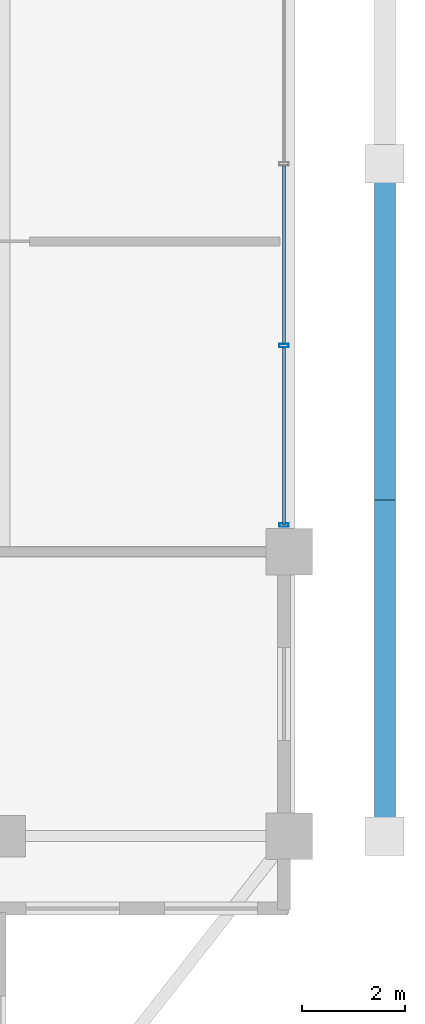
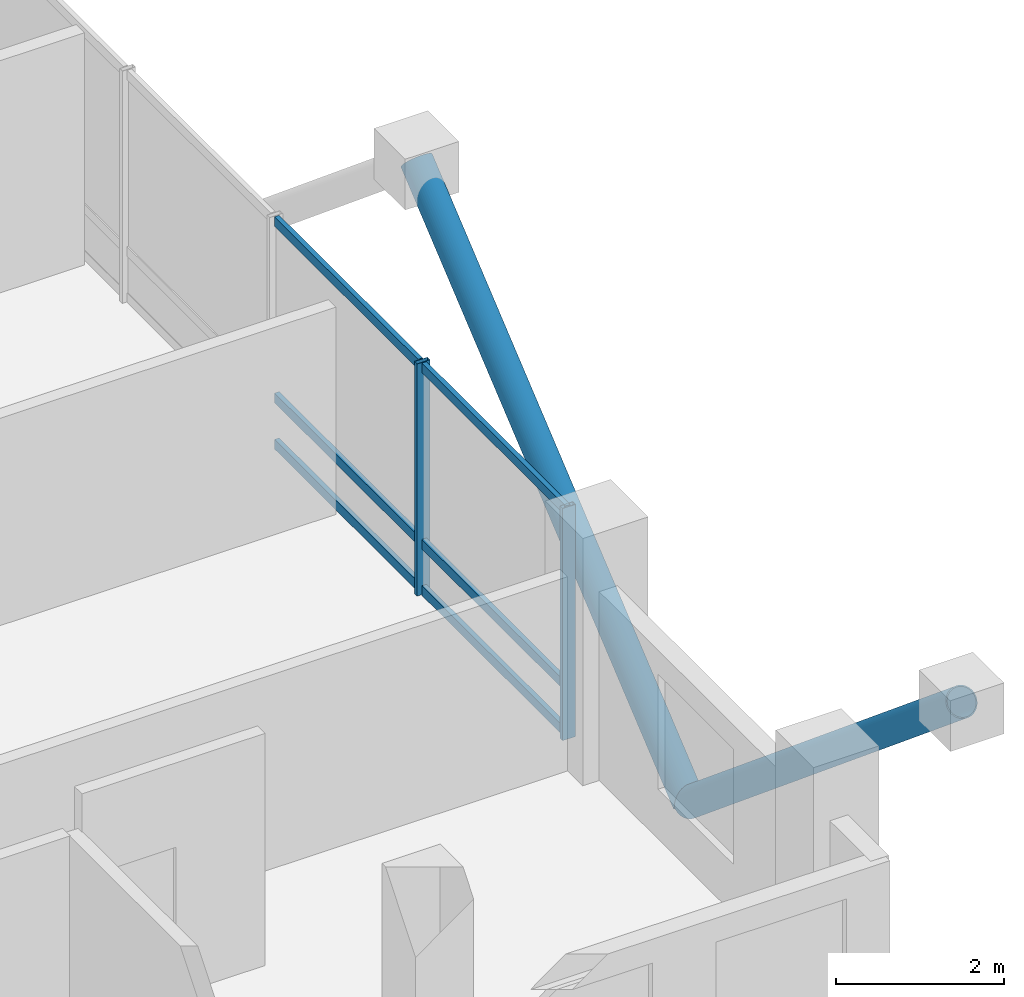
# One storey, part 11 of 22: 10 members, 1 element without a shape of its own.
"""IFC4 building model written with IfcOpenShell, lengths in metres."""

from ifc_helpers import new_model, si_unit, direction, frame, origin, origin_2d, place, context, subcontext, project, spatial, hollow_rectangle, hollow_circle, extrude, material, layer, layer_set, material_profile, profile_set, type_object, element, aggregate, save


model = new_model("IFC4")

# Units and contexts
model_context = context("Model", 3, precision=1e-05, world=origin(), true_north=direction((0.0, 1.0)))
body_context = subcontext(model_context, "Body", "Model", "MODEL_VIEW")
ifc_project = project(units=[si_unit("LENGTHUNIT", "METRE"), si_unit("AREAUNIT", "SQUARE_METRE"), si_unit("VOLUMEUNIT", "CUBIC_METRE"), si_unit("PLANEANGLEUNIT", "RADIAN"), si_unit("MASSUNIT", "GRAM", prefix="KILO")], contexts=[model_context])

# Site, building, storey
site_placement = place(None, origin())
site = spatial("IfcSite", under=ifc_project, at=site_placement, CompositionType="ELEMENT")
building_placement = place(site_placement, origin())
building = spatial("IfcBuilding", under=site, at=building_placement, Name="Barlavira Tower and Art Museum", CompositionType="ELEMENT")
storey_placement = place(building_placement, frame((0.0, 0.0, 269.10009765625)))
storey = spatial("IfcBuildingStorey", under=building, at=storey_placement, Name="L70", CompositionType="ELEMENT", Elevation=269.10009765625)

# Curtain wall, members
ifc_material_1 = material(Name="Low-iron coastal laminated glass", Category="glass")
ifc_layer = layer(ifc_material_1, 0.2099609375, Name="Low-iron coastal laminated glass")
ifc_layer_set = layer_set([ifc_layer], Name="Low-iron coastal laminated glass")
curtain_wall_type = type_object("IfcCurtainWallType", Name="Pale-Metal Unitised Curtain Wall Zone 4", PredefinedType="NOTDEFINED", material=ifc_layer_set)
curtain_wall_placement = place(storey_placement, origin())
curtain_wall = element("IfcCurtainWall", 1, at=curtain_wall_placement, inside=storey, type_object=curtain_wall_type, Name="L70 Curtain Wall CW4-L70-E-B3", PredefinedType="NOTDEFINED")
ifc_material_2 = material(Name="Pale anodised aluminium", Category="aluminium")
ifc_material_profile_1 = material_profile(ifc_material_2, hollow_rectangle(XDim=0.06494140625, YDim=0.179931640625, WallThickness=0.00390625, at=origin_2d()), Name="ALU-MULL 65x180x4")
ifc_profile_set_1 = profile_set([ifc_material_profile_1], Name="Pale anodised aluminium")
member_type_1 = type_object("IfcMemberType", Name="Curtain Wall Pale-Metal Mullion 65x180", PredefinedType="MULLION", material=ifc_profile_set_1)
member_1_placement = place(storey_placement, frame((16.89990234375, -6.985107421875, 0.0), z_axis=(0.0, 0.0, 1.0), x_axis=(0.0, 1.0, 0.0)))
member_1 = element("IfcMember", 2, at=member_1_placement, type_object=member_type_1, Name="CW4-L70-E-B3 Mullion 0", PredefinedType="MULLION", context=body_context, shape_type="SweptSolid", body=[
    extrude(hollow_rectangle(XDim=0.06494140625, YDim=0.179931640625, WallThickness=0.00390625, at=origin_2d()), origin(), (0.0, 0.0, 1.0), 3.3798828125),
])
member_2_placement = place(storey_placement, frame((16.89990234375, -3.514892578125, 0.0), z_axis=(0.0, 0.0, 1.0), x_axis=(0.0, 1.0, 0.0)))
member_2 = element("IfcMember", 3, at=member_2_placement, type_object=member_type_1, Name="CW4-L70-E-B3 Mullion 1", PredefinedType="MULLION", context=body_context, shape_type="SweptSolid", body=[
    extrude(hollow_rectangle(XDim=0.06494140625, YDim=0.179931640625, WallThickness=0.00390625, at=origin_2d()), origin(), (0.0, 0.0, 1.0), 3.3798828125),
])
ifc_material_profile_2 = material_profile(ifc_material_2, hollow_rectangle(XDim=0.06494140625, YDim=0.139892578125, WallThickness=0.00390625, at=origin_2d()), Name="ALU-TRAN 65x140x4")
ifc_profile_set_2 = profile_set([ifc_material_profile_2], Name="Pale anodised aluminium")
member_type_2 = type_object("IfcMemberType", Name="Curtain Wall Pale-Metal Transom 65x140", PredefinedType="USERDEFINED", material=ifc_profile_set_2)
member_3_placement = place(storey_placement, frame((16.89990234375, -6.985107421875, 0.06982421875), z_axis=(0.0, 1.0, 0.0), x_axis=(-1.0, 0.0, 0.0)))
member_3 = element("IfcMember", 4, at=member_3_placement, type_object=member_type_2, Name="CW4-L70-E-B3 Transom 0.1", ObjectType="TRANSOM", PredefinedType="USERDEFINED", context=body_context, shape_type="SweptSolid", body=[
    extrude(hollow_rectangle(XDim=0.06494140625, YDim=0.139892578125, WallThickness=0.00390625, at=origin_2d()), origin(), (0.0, 0.0, 1.0), 3.425048828125),
])
member_4_placement = place(storey_placement, frame((16.89990234375, -6.985107421875, 0.743896484375), z_axis=(0.0, 1.0, 0.0), x_axis=(-1.0, 0.0, 0.0)))
member_4 = element("IfcMember", 5, at=member_4_placement, type_object=member_type_2, Name="CW4-L70-E-B3 Transom 0.2", ObjectType="TRANSOM", PredefinedType="USERDEFINED", context=body_context, shape_type="SweptSolid", body=[
    extrude(hollow_rectangle(XDim=0.06494140625, YDim=0.139892578125, WallThickness=0.00390625, at=origin_2d()), origin(), (0.0, 0.0, 1.0), 3.425048828125),
])
member_5_placement = place(storey_placement, frame((16.89990234375, -6.985107421875, 3.309814453125), z_axis=(0.0, 1.0, 0.0), x_axis=(-1.0, 0.0, 0.0)))
member_5 = element("IfcMember", 6, at=member_5_placement, type_object=member_type_2, Name="CW4-L70-E-B3 Transom 0.3", ObjectType="TRANSOM", PredefinedType="USERDEFINED", context=body_context, shape_type="SweptSolid", body=[
    extrude(hollow_rectangle(XDim=0.06494140625, YDim=0.139892578125, WallThickness=0.00390625, at=origin_2d()), origin(), (0.0, 0.0, 1.0), 3.425048828125),
])
member_6_placement = place(storey_placement, frame((16.89990234375, -3.469970703125, 0.06982421875), z_axis=(0.0, 1.0, 0.0), x_axis=(-1.0, 0.0, 0.0)))
member_6 = element("IfcMember", 7, at=member_6_placement, type_object=member_type_2, Name="CW4-L70-E-B3 Transom 1.1", ObjectType="TRANSOM", PredefinedType="USERDEFINED", context=body_context, shape_type="SweptSolid", body=[
    extrude(hollow_rectangle(XDim=0.06494140625, YDim=0.139892578125, WallThickness=0.00390625, at=origin_2d()), origin(), (0.0, 0.0, 1.0), 3.425048828125),
])
member_7_placement = place(storey_placement, frame((16.89990234375, -3.469970703125, 0.743896484375), z_axis=(0.0, 1.0, 0.0), x_axis=(-1.0, 0.0, 0.0)))
member_7 = element("IfcMember", 8, at=member_7_placement, type_object=member_type_2, Name="CW4-L70-E-B3 Transom 1.2", ObjectType="TRANSOM", PredefinedType="USERDEFINED", context=body_context, shape_type="SweptSolid", body=[
    extrude(hollow_rectangle(XDim=0.06494140625, YDim=0.139892578125, WallThickness=0.00390625, at=origin_2d()), origin(), (0.0, 0.0, 1.0), 3.425048828125),
])
member_8_placement = place(storey_placement, frame((16.89990234375, -3.469970703125, 3.309814453125), z_axis=(0.0, 1.0, 0.0), x_axis=(-1.0, 0.0, 0.0)))
member_8 = element("IfcMember", 9, at=member_8_placement, type_object=member_type_2, Name="CW4-L70-E-B3 Transom 1.3", ObjectType="TRANSOM", PredefinedType="USERDEFINED", context=body_context, shape_type="SweptSolid", body=[
    extrude(hollow_rectangle(XDim=0.06494140625, YDim=0.139892578125, WallThickness=0.00390625, at=origin_2d()), origin(), (0.0, 0.0, 1.0), 3.425048828125),
])
aggregate(curtain_wall, [member_1, member_2, member_3, member_4, member_5, member_6, member_7, member_8])

# Members
ifc_material_3 = material(Name="Steel S355", Category="steel")
ifc_material_profile_3 = material_profile(ifc_material_3, hollow_circle(Radius=0.203125, WallThickness=0.01611328125, at=origin_2d()), Name="CHS 406.4x16.0")
ifc_profile_set_3 = profile_set([ifc_material_profile_3], Name="Steel S355")
member_type_3 = type_object("IfcMemberType", Name="Pale-Metal Exoskeleton Diagrid Tube CHS 406x16 Steel S355", PredefinedType="BRACE", material=ifc_profile_set_3)
for number, where, z_axis, x_axis, name in (
    (10, (18.85009765625, -6.5, -1.920166015625), (0.0, -0.76918185268, 0.639029950399), (1.0, 0.0, 0.0), "L70 Exoskeleton Diagrid Tube E"),
    (11, (18.85009765625, -6.5, -1.920166015625), (0.0, 0.76918185268, 0.639029950399), (-1.0, 0.0, 0.0), "L70 Exoskeleton Diagrid Tube E"),
):
    element("IfcMember", number, at=place(storey_placement, frame(where, z_axis=z_axis, x_axis=x_axis)), inside=storey, type_object=member_type_3, Name=name, PredefinedType="BRACE", context=body_context, shape_type="SweptSolid", body=[
        extrude(hollow_circle(Radius=0.203125, WallThickness=0.01611328125, at=origin_2d()), origin(), (0.0, 0.0, 1.0), 8.450439453125),
    ])

save(model, "model.ifc")
